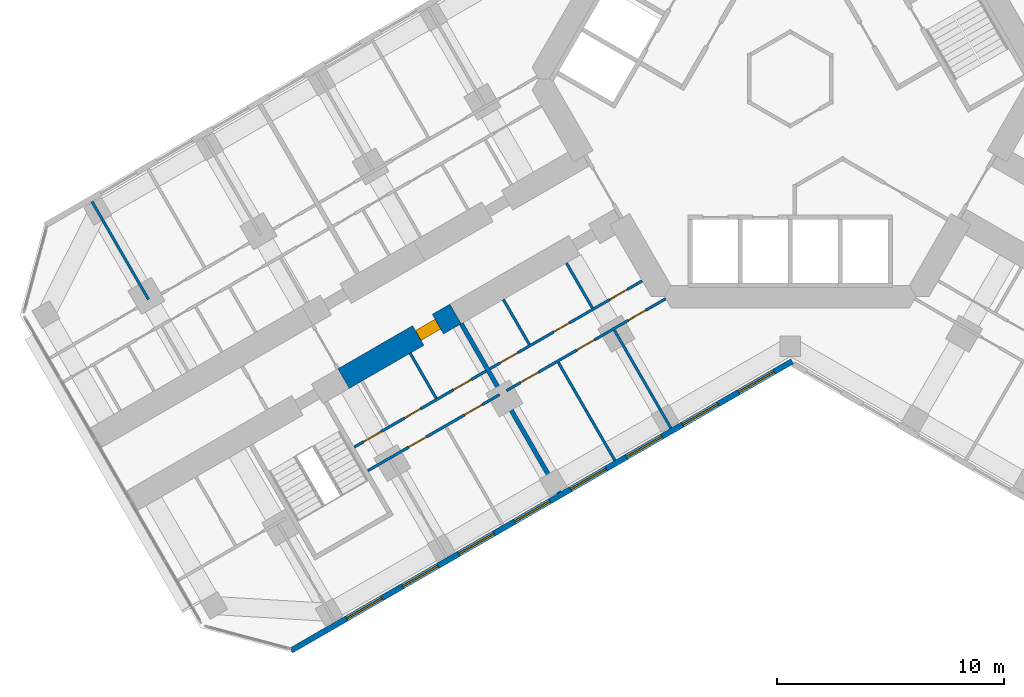
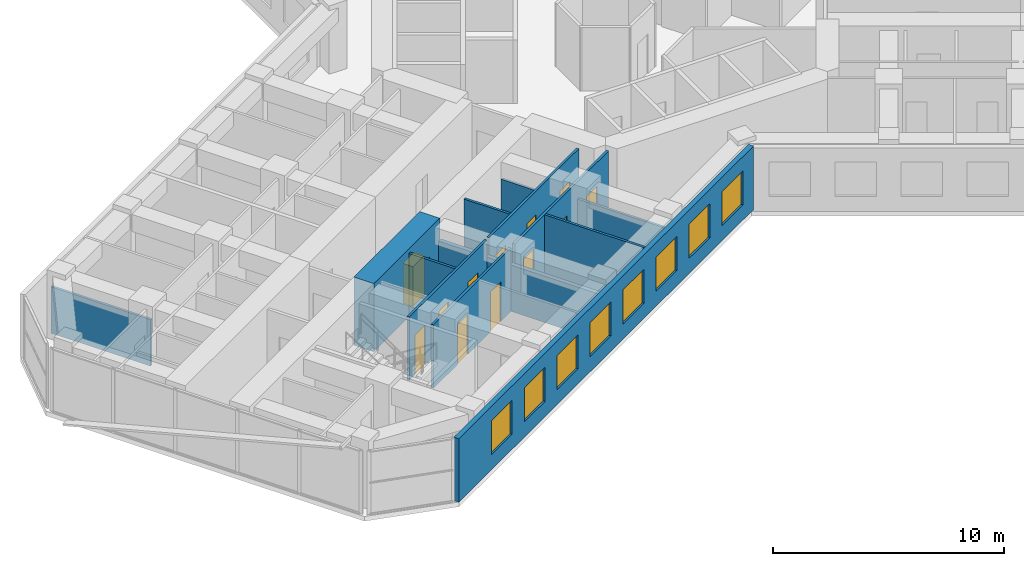
# One storey, part 11 of 22: 13 walls, 12 doors, 8 windows, 20 openings.
"""IFC4 building model written with IfcOpenShell, lengths in metres."""

from ifc_helpers import new_model, si_unit, direction, frame, frame_2d, origin, place, context, subcontext, project, spatial, rectangle, extrude, material, layer, layer_set, type_object, element, fill, save


model = new_model("IFC4")

# Units and contexts
model_context = context("Model", 3, precision=1e-05, world=origin(), true_north=direction((0.0, 1.0)))
body_context = subcontext(model_context, "Body", "Model", "MODEL_VIEW")
ifc_project = project(units=[si_unit("LENGTHUNIT", "METRE"), si_unit("AREAUNIT", "SQUARE_METRE"), si_unit("VOLUMEUNIT", "CUBIC_METRE"), si_unit("PLANEANGLEUNIT", "RADIAN"), si_unit("MASSUNIT", "GRAM", prefix="KILO")], contexts=[model_context])

# Site, building, storey
site_placement = place(None, origin())
site = spatial("IfcSite", under=ifc_project, at=site_placement, CompositionType="ELEMENT")
building_placement = place(site_placement, origin())
building = spatial("IfcBuilding", under=site, at=building_placement, Name="Kosmar Iwan School Tower", CompositionType="ELEMENT")
storey_placement = place(building_placement, frame((0.0, 0.0, 91.60009765625)))
storey = spatial("IfcBuildingStorey", under=building, at=storey_placement, Name="L22", CompositionType="ELEMENT", Elevation=91.60009765625)

# Wall, opening, door
ifc_material_1 = material(Name="Concrete C50/60", Category="concrete")
ifc_layer_1 = layer(ifc_material_1, 1.0)
ifc_layer_set_1 = layer_set([ifc_layer_1], Name="Corridor buttress wall 1000")
wall_type_1 = type_object("IfcWallType", Name="Corridor buttress wall 1000", PredefinedType="SHEAR", material=ifc_layer_set_1)
wall_1_placement = place(storey_placement, frame((-14.7451171875, -10.360595703125, 0.0), z_axis=(0.0, 0.0, 1.0), x_axis=(-0.866015111908, -0.50001782563, 0.0)))
wall_1 = element("IfcWall", 1, at=wall_1_placement, inside=storey, type_object=wall_type_1, Name="Corridor wall BL bay 2", PredefinedType="SHEAR", context=body_context, shape_type="SweptSolid", body=[
    extrude(rectangle(XDim=5.699951171875, YDim=1.0, at=frame_2d((2.85009765625, 0.0))), origin(), (0.0, 0.0, 1.0), 3.599853515625),
])
opening_1_placement = place(wall_1_placement, frame((0.89990234375, 0.0, 0.0)))
opening_1 = element("IfcOpeningElement", 2, at=opening_1_placement, cuts=wall_1, Name="Opening D1", PredefinedType="OPENING", context=body_context, shape_type="SweptSolid", body=[
    extrude(rectangle(XDim=1.0, YDim=2.10009765625, at=frame_2d((0.5, 1.050048828125))), frame((0.0, 0.511962890625, 0.0), z_axis=(0.0, -1.0, 0.0), x_axis=(1.0, 0.0, 0.0)), (0.0, 0.0, 1.0), 1.02392578125),
])
ifc_material_2 = material(Name="Timber fire door in steel frame", Category="steel")
door_type_1 = type_object("IfcDoorType", Name="Flat entrance door 1000x2100", OperationType="SINGLE_SWING_LEFT", PredefinedType="DOOR", material=ifc_material_2)
door_1_placement = place(opening_1_placement, origin())
door_1 = element("IfcDoor", 3, at=door_1_placement, inside=storey, type_object=door_type_1, Name="Flat L22-BL2 entrance door", OperationType="SINGLE_SWING_RIGHT", OverallHeight=2.10009765625, OverallWidth=1.0, PredefinedType="DOOR", context=body_context, shape_type="SweptSolid", body=[
    extrude(rectangle(XDim=1.0, YDim=2.10009765625, at=frame_2d((0.5, 1.050048828125))), frame((0.0, 0.25, 0.0), z_axis=(0.0, -1.0, 0.0), x_axis=(1.0, 0.0, 0.0)), (0.0, 0.0, 1.0), 0.5),
])
fill(opening_1, door_1)

# Wall, openings, doors
ifc_material_3 = material(Name="Gypsum board on steel studs", Category="steel")
ifc_layer_2 = layer(ifc_material_3, 0.1201171875)
ifc_layer_set_2 = layer_set([ifc_layer_2], Name="Dwelling partition 120")
wall_type_2 = type_object("IfcWallType", Name="Dwelling partition 120", PredefinedType="PARTITIONING", material=ifc_layer_set_2)
wall_2_placement = place(storey_placement, frame((-6.521728515625, -8.90380859375, 0.0), z_axis=(0.0, 0.0, 1.0), x_axis=(-0.866032409438, -0.499987865656, 0.0)))
wall_2 = element("IfcWall", 4, at=wall_2_placement, inside=storey, type_object=wall_type_2, Name="Partition L22-BL1-W1", PredefinedType="PARTITIONING", context=body_context, shape_type="SweptSolid", body=[
    extrude(rectangle(XDim=7.750244140625, YDim=0.1201171875, at=frame_2d((3.875, 0.0))), origin(), (0.0, 0.0, 1.0), 3.349853515625),
])
opening_2_placement = place(wall_2_placement, frame((0.75, 0.0, 0.0)))
opening_2 = element("IfcOpeningElement", 5, at=opening_2_placement, cuts=wall_2, Name="Opening D2", PredefinedType="OPENING", context=body_context, shape_type="SweptSolid", body=[
    extrude(rectangle(XDim=0.89990234375, YDim=2.10009765625, at=frame_2d((0.449951171875, 1.050048828125))), frame((0.0, 0.072021484375, 0.0), z_axis=(0.0, -1.0, 0.0), x_axis=(1.0, 0.0, 0.0)), (0.0, 0.0, 1.0), 0.14404296875),
])
opening_3_placement = place(wall_2_placement, frame((3.705078125, 0.0, 0.0)))
opening_3 = element("IfcOpeningElement", 6, at=opening_3_placement, cuts=wall_2, Name="Opening D3", PredefinedType="OPENING", context=body_context, shape_type="SweptSolid", body=[
    extrude(rectangle(XDim=0.800048828125, YDim=2.10009765625, at=frame_2d((0.39990234375, 1.050048828125))), frame((0.0, 0.072021484375, 0.0), z_axis=(0.0, -1.0, 0.0), x_axis=(1.0, 0.0, 0.0)), (0.0, 0.0, 1.0), 0.14404296875),
])
opening_4_placement = place(wall_2_placement, frame((6.330078125, 0.0, 0.0)))
opening_4 = element("IfcOpeningElement", 7, at=opening_4_placement, cuts=wall_2, Name="Opening D2", PredefinedType="OPENING", context=body_context, shape_type="SweptSolid", body=[
    extrude(rectangle(XDim=0.89990234375, YDim=2.10009765625, at=frame_2d((0.449951171875, 1.050048828125))), frame((0.0, 0.072021484375, 0.0), z_axis=(0.0, -1.0, 0.0), x_axis=(1.0, 0.0, 0.0)), (0.0, 0.0, 1.0), 0.14404296875),
])
ifc_material_4 = material(Name="Timber door in timber frame", Category="wood")
door_type_2 = type_object("IfcDoorType", Name="Internal door 900x2100", OperationType="SINGLE_SWING_LEFT", PredefinedType="DOOR", material=ifc_material_4)
door_2_placement = place(opening_2_placement, origin())
door_2 = element("IfcDoor", 8, at=door_2_placement, inside=storey, type_object=door_type_2, Name="Entrance hall door L22-BL1-S1", OperationType="SINGLE_SWING_LEFT", OverallHeight=2.10009765625, OverallWidth=0.89990234375, PredefinedType="DOOR", context=body_context, shape_type="SweptSolid", body=[
    extrude(rectangle(XDim=0.89990234375, YDim=2.10009765625, at=frame_2d((0.449951171875, 1.050048828125))), frame((0.0, 0.02490234375, 0.0), z_axis=(0.0, -1.0, 0.0), x_axis=(1.0, 0.0, 0.0)), (0.0, 0.0, 1.0), 0.050048828125),
])
fill(opening_2, door_2)
door_3_placement = place(opening_4_placement, origin())
door_3 = element("IfcDoor", 9, at=door_3_placement, inside=storey, type_object=door_type_2, Name="Pantry door L22-BL1-S3", OperationType="SINGLE_SWING_RIGHT", OverallHeight=2.10009765625, OverallWidth=0.89990234375, PredefinedType="DOOR", context=body_context, shape_type="SweptSolid", body=[
    extrude(rectangle(XDim=0.89990234375, YDim=2.10009765625, at=frame_2d((0.449951171875, 1.050048828125))), frame((0.0, 0.02490234375, 0.0), z_axis=(0.0, -1.0, 0.0), x_axis=(1.0, 0.0, 0.0)), (0.0, 0.0, 1.0), 0.050048828125),
])
fill(opening_4, door_3)
ifc_material_5 = material(Name="Timber door in timber frame", Category="wood")
door_type_3 = type_object("IfcDoorType", Name="Sanitary room door 800x2100", OperationType="SINGLE_SWING_LEFT", PredefinedType="DOOR", material=ifc_material_5)
door_4_placement = place(opening_3_placement, origin())
door_4 = element("IfcDoor", 10, at=door_4_placement, inside=storey, type_object=door_type_3, Name="Bathroom door L22-BL1-S2", OperationType="SINGLE_SWING_RIGHT", OverallHeight=2.10009765625, OverallWidth=0.800048828125, PredefinedType="DOOR", context=body_context, shape_type="SweptSolid", body=[
    extrude(rectangle(XDim=0.800048828125, YDim=2.10009765625, at=frame_2d((0.39990234375, 1.050048828125))), frame((0.0, 0.02490234375, 0.0), z_axis=(0.0, -1.0, 0.0), x_axis=(1.0, 0.0, 0.0)), (0.0, 0.0, 1.0), 0.050048828125),
])
fill(opening_3, door_4)

wall_3_placement = place(storey_placement, frame((-5.48876953125, -9.693115234375, 0.0), z_axis=(0.0, 0.0, 1.0), x_axis=(-0.866025472755, -0.499999880539, 0.0)))
wall_3 = element("IfcWall", 11, at=wall_3_placement, inside=storey, type_object=wall_type_2, Name="Partition L22-BL1-W2", PredefinedType="PARTITIONING", context=body_context, shape_type="SweptSolid", body=[
    extrude(rectangle(XDim=8.10009765625, YDim=0.1201171875, at=frame_2d((4.050048828125, 0.0))), origin(), (0.0, 0.0, 1.0), 3.349853515625),
])
opening_5_placement = place(wall_3_placement, frame((1.0, 0.0, 0.0)))
opening_5 = element("IfcOpeningElement", 12, at=opening_5_placement, cuts=wall_3, Name="Opening D2", PredefinedType="OPENING", context=body_context, shape_type="SweptSolid", body=[
    extrude(rectangle(XDim=0.89990234375, YDim=2.10009765625, at=frame_2d((0.449951171875, 1.050048828125))), frame((0.0, 0.072021484375, 0.0), z_axis=(0.0, -1.0, 0.0), x_axis=(1.0, 0.0, 0.0)), (0.0, 0.0, 1.0), 0.14404296875),
])
opening_6_placement = place(wall_3_placement, frame((3.625, 0.0, 0.0)))
opening_6 = element("IfcOpeningElement", 13, at=opening_6_placement, cuts=wall_3, Name="Opening D2", PredefinedType="OPENING", context=body_context, shape_type="SweptSolid", body=[
    extrude(rectangle(XDim=0.89990234375, YDim=2.10009765625, at=frame_2d((0.449951171875, 1.050048828125))), frame((0.0, 0.072021484375, 0.0), z_axis=(0.0, -1.0, 0.0), x_axis=(1.0, 0.0, 0.0)), (0.0, 0.0, 1.0), 0.14404296875),
])
opening_7_placement = place(wall_3_placement, frame((6.47509765625, 0.0, 0.0)))
opening_7 = element("IfcOpeningElement", 14, at=opening_7_placement, cuts=wall_3, Name="Opening D2", PredefinedType="OPENING", context=body_context, shape_type="SweptSolid", body=[
    extrude(rectangle(XDim=0.89990234375, YDim=2.10009765625, at=frame_2d((0.449951171875, 1.050048828125))), frame((0.0, 0.072021484375, 0.0), z_axis=(0.0, -1.0, 0.0), x_axis=(1.0, 0.0, 0.0)), (0.0, 0.0, 1.0), 0.14404296875),
])
door_5_placement = place(opening_5_placement, origin())
door_5 = element("IfcDoor", 15, at=door_5_placement, inside=storey, type_object=door_type_2, Name="Living room and kitchen door L22-BL1-F1", OperationType="SINGLE_SWING_LEFT", OverallHeight=2.10009765625, OverallWidth=0.89990234375, PredefinedType="DOOR", context=body_context, shape_type="SweptSolid", body=[
    extrude(rectangle(XDim=0.89990234375, YDim=2.10009765625, at=frame_2d((0.449951171875, 1.050048828125))), frame((0.0, 0.02490234375, 0.0), z_axis=(0.0, -1.0, 0.0), x_axis=(1.0, 0.0, 0.0)), (0.0, 0.0, 1.0), 0.050048828125),
])
fill(opening_5, door_5)
door_6_placement = place(opening_6_placement, origin())
door_6 = element("IfcDoor", 16, at=door_6_placement, inside=storey, type_object=door_type_2, Name="Study door L22-BL1-F2", OperationType="SINGLE_SWING_LEFT", OverallHeight=2.10009765625, OverallWidth=0.89990234375, PredefinedType="DOOR", context=body_context, shape_type="SweptSolid", body=[
    extrude(rectangle(XDim=0.89990234375, YDim=2.10009765625, at=frame_2d((0.449951171875, 1.050048828125))), frame((0.0, 0.02490234375, 0.0), z_axis=(0.0, -1.0, 0.0), x_axis=(1.0, 0.0, 0.0)), (0.0, 0.0, 1.0), 0.050048828125),
])
fill(opening_6, door_6)
door_7_placement = place(opening_7_placement, origin())
door_7 = element("IfcDoor", 17, at=door_7_placement, inside=storey, type_object=door_type_2, Name="Bedroom 1 door L22-BL1-F3", OperationType="SINGLE_SWING_RIGHT", OverallHeight=2.10009765625, OverallWidth=0.89990234375, PredefinedType="DOOR", context=body_context, shape_type="SweptSolid", body=[
    extrude(rectangle(XDim=0.89990234375, YDim=2.10009765625, at=frame_2d((0.449951171875, 1.050048828125))), frame((0.0, 0.02490234375, 0.0), z_axis=(0.0, -1.0, 0.0), x_axis=(1.0, 0.0, 0.0)), (0.0, 0.0, 1.0), 0.050048828125),
])
fill(opening_7, door_7)

# Walls
wall_4_placement = place(storey_placement, frame((-7.75390625, -11.070068359375, 0.0), z_axis=(0.0, 0.0, 1.0), x_axis=(0.500011847778, -0.866018563358, 0.0)))
element("IfcWall", 18, at=wall_4_placement, inside=storey, type_object=wall_type_2, Name="Partition L22-BL1-X1", PredefinedType="PARTITIONING", context=body_context, shape_type="SweptSolid", body=[
    extrude(rectangle(XDim=4.990234375, YDim=0.1201171875, at=frame_2d((2.4951171875, 0.0))), origin(), (0.0, 0.0, 1.0), 2.449951171875),
])
wall_5_placement = place(storey_placement, frame((-10.221923828125, -12.4951171875, 0.0), z_axis=(0.0, 0.0, 1.0), x_axis=(0.499996339024, -0.86602751744, 0.0)))
element("IfcWall", 19, at=wall_5_placement, inside=storey, type_object=wall_type_2, Name="Partition L22-BL1-X2", PredefinedType="PARTITIONING", context=body_context, shape_type="SweptSolid", body=[
    extrude(rectangle(XDim=4.98974609375, YDim=0.1201171875, at=frame_2d((2.494873046875, 0.0))), origin(), (0.0, 0.0, 1.0), 3.349853515625),
])
wall_6_placement = place(storey_placement, frame((-9.86181640625, -8.11865234375, 0.0), z_axis=(0.0, 0.0, 1.0), x_axis=(0.500014693593, -0.866016920268, 0.0)))
element("IfcWall", 20, at=wall_6_placement, inside=storey, type_object=wall_type_2, Name="Partition L22-BL1-Y1", PredefinedType="PARTITIONING", context=body_context, shape_type="SweptSolid", body=[
    extrude(rectangle(XDim=2.2900390625, YDim=0.1201171875, at=frame_2d((1.14501953125, 0.0))), origin(), (0.0, 0.0, 1.0), 2.449951171875),
])
wall_7_placement = place(storey_placement, frame((-12.641845703125, -9.7236328125, 0.0), z_axis=(0.0, 0.0, 1.0), x_axis=(0.500014693593, -0.866016920268, 0.0)))
element("IfcWall", 21, at=wall_7_placement, inside=storey, type_object=wall_type_2, Name="Partition L22-BL1-Y2", PredefinedType="PARTITIONING", context=body_context, shape_type="SweptSolid", body=[
    extrude(rectangle(XDim=2.2900390625, YDim=0.1201171875, at=frame_2d((1.14501953125, 0.0))), origin(), (0.0, 0.0, 1.0), 3.349853515625),
])

# Wall, openings, doors
wall_8_placement = place(storey_placement, frame((-13.40673828125, -12.87890625, 0.0), z_axis=(0.0, 0.0, 1.0), x_axis=(-0.866039349182, -0.499975845085, 0.0)))
wall_8 = element("IfcWall", 22, at=wall_8_placement, inside=storey, type_object=wall_type_2, Name="Partition L22-BL2-W1", PredefinedType="PARTITIONING", context=body_context, shape_type="SweptSolid", body=[
    extrude(rectangle(XDim=6.699951171875, YDim=0.1201171875, at=frame_2d((3.35009765625, 0.0))), origin(), (0.0, 0.0, 1.0), 3.349853515625),
])
opening_8_placement = place(wall_8_placement, frame((0.75, 0.0, 0.0)))
opening_8 = element("IfcOpeningElement", 23, at=opening_8_placement, cuts=wall_8, Name="Opening D2", PredefinedType="OPENING", context=body_context, shape_type="SweptSolid", body=[
    extrude(rectangle(XDim=0.89990234375, YDim=2.10009765625, at=frame_2d((0.449951171875, 1.050048828125))), frame((0.0, 0.072021484375, 0.0), z_axis=(0.0, -1.0, 0.0), x_axis=(1.0, 0.0, 0.0)), (0.0, 0.0, 1.0), 0.14404296875),
])
opening_9_placement = place(wall_8_placement, frame((3.330078125, 0.0, 0.0)))
opening_9 = element("IfcOpeningElement", 24, at=opening_9_placement, cuts=wall_8, Name="Opening D3", PredefinedType="OPENING", context=body_context, shape_type="SweptSolid", body=[
    extrude(rectangle(XDim=0.800048828125, YDim=2.10009765625, at=frame_2d((0.39990234375, 1.050048828125))), frame((0.0, 0.072021484375, 0.0), z_axis=(0.0, -1.0, 0.0), x_axis=(1.0, 0.0, 0.0)), (0.0, 0.0, 1.0), 0.14404296875),
])
opening_10_placement = place(wall_8_placement, frame((5.330078125, 0.0, 0.0)))
opening_10 = element("IfcOpeningElement", 25, at=opening_10_placement, cuts=wall_8, Name="Opening D2", PredefinedType="OPENING", context=body_context, shape_type="SweptSolid", body=[
    extrude(rectangle(XDim=0.89990234375, YDim=2.10009765625, at=frame_2d((0.449951171875, 1.050048828125))), frame((0.0, 0.072021484375, 0.0), z_axis=(0.0, -1.0, 0.0), x_axis=(1.0, 0.0, 0.0)), (0.0, 0.0, 1.0), 0.14404296875),
])
door_8_placement = place(opening_8_placement, origin())
door_8 = element("IfcDoor", 26, at=door_8_placement, inside=storey, type_object=door_type_2, Name="Entrance hall door L22-BL2-S1", OperationType="SINGLE_SWING_LEFT", OverallHeight=2.10009765625, OverallWidth=0.89990234375, PredefinedType="DOOR", context=body_context, shape_type="SweptSolid", body=[
    extrude(rectangle(XDim=0.89990234375, YDim=2.10009765625, at=frame_2d((0.449951171875, 1.050048828125))), frame((0.0, 0.02490234375, 0.0), z_axis=(0.0, -1.0, 0.0), x_axis=(1.0, 0.0, 0.0)), (0.0, 0.0, 1.0), 0.050048828125),
])
fill(opening_8, door_8)
door_9_placement = place(opening_10_placement, frame((0.89990234375, 0.0, 0.0), z_axis=(0.0, 0.0, 1.0), x_axis=(-1.0, 0.0, 0.0)))
door_9 = element("IfcDoor", 27, at=door_9_placement, inside=storey, type_object=door_type_2, Name="Pantry door L22-BL2-S3", OperationType="SINGLE_SWING_LEFT", OverallHeight=2.10009765625, OverallWidth=0.89990234375, PredefinedType="DOOR", context=body_context, shape_type="SweptSolid", body=[
    extrude(rectangle(XDim=0.89990234375, YDim=2.10009765625, at=frame_2d((0.449951171875, 1.050048828125))), frame((0.0, 0.02490234375, 0.0), z_axis=(0.0, -1.0, 0.0), x_axis=(1.0, 0.0, 0.0)), (0.0, 0.0, 1.0), 0.050048828125),
])
fill(opening_10, door_9)
door_10_placement = place(opening_9_placement, origin())
door_10 = element("IfcDoor", 28, at=door_10_placement, inside=storey, type_object=door_type_3, Name="Bathroom door L22-BL2-S2", OperationType="SINGLE_SWING_RIGHT", OverallHeight=2.10009765625, OverallWidth=0.800048828125, PredefinedType="DOOR", context=body_context, shape_type="SweptSolid", body=[
    extrude(rectangle(XDim=0.800048828125, YDim=2.10009765625, at=frame_2d((0.39990234375, 1.050048828125))), frame((0.0, 0.02490234375, 0.0), z_axis=(0.0, -1.0, 0.0), x_axis=(1.0, 0.0, 0.0)), (0.0, 0.0, 1.0), 0.050048828125),
])
fill(opening_9, door_10)

wall_9_placement = place(storey_placement, frame((-12.806640625, -13.91796875, 0.0), z_axis=(0.0, 0.0, 1.0), x_axis=(-0.866023571113, -0.500003174267, 0.0)))
wall_9 = element("IfcWall", 29, at=wall_9_placement, inside=storey, type_object=wall_type_2, Name="Partition L22-BL2-W2", PredefinedType="PARTITIONING", context=body_context, shape_type="SweptSolid", body=[
    extrude(rectangle(XDim=6.7001953125, YDim=0.1201171875, at=frame_2d((3.35009765625, 0.0))), origin(), (0.0, 0.0, 1.0), 3.349853515625),
])
opening_11_placement = place(wall_9_placement, frame((0.875, 0.0, 0.0)))
opening_11 = element("IfcOpeningElement", 30, at=opening_11_placement, cuts=wall_9, Name="Opening D2", PredefinedType="OPENING", context=body_context, shape_type="SweptSolid", body=[
    extrude(rectangle(XDim=0.89990234375, YDim=2.10009765625, at=frame_2d((0.449951171875, 1.050048828125))), frame((0.0, 0.072021484375, 0.0), z_axis=(0.0, -1.0, 0.0), x_axis=(1.0, 0.0, 0.0)), (0.0, 0.0, 1.0), 0.14404296875),
])
opening_12_placement = place(wall_9_placement, frame((3.72509765625, 0.0, 0.0)))
opening_12 = element("IfcOpeningElement", 31, at=opening_12_placement, cuts=wall_9, Name="Opening D2", PredefinedType="OPENING", context=body_context, shape_type="SweptSolid", body=[
    extrude(rectangle(XDim=0.89990234375, YDim=2.10009765625, at=frame_2d((0.449951171875, 1.050048828125))), frame((0.0, 0.072021484375, 0.0), z_axis=(0.0, -1.0, 0.0), x_axis=(1.0, 0.0, 0.0)), (0.0, 0.0, 1.0), 0.14404296875),
])
door_11_placement = place(opening_11_placement, origin())
door_11 = element("IfcDoor", 32, at=door_11_placement, inside=storey, type_object=door_type_2, Name="Living room and kitchen door L22-BL2-F1", OperationType="SINGLE_SWING_RIGHT", OverallHeight=2.10009765625, OverallWidth=0.89990234375, PredefinedType="DOOR", context=body_context, shape_type="SweptSolid", body=[
    extrude(rectangle(XDim=0.89990234375, YDim=2.10009765625, at=frame_2d((0.449951171875, 1.050048828125))), frame((0.0, 0.02490234375, 0.0), z_axis=(0.0, -1.0, 0.0), x_axis=(1.0, 0.0, 0.0)), (0.0, 0.0, 1.0), 0.050048828125),
])
fill(opening_11, door_11)
door_12_placement = place(opening_12_placement, origin())
door_12 = element("IfcDoor", 33, at=door_12_placement, inside=storey, type_object=door_type_2, Name="Bedroom 1 door L22-BL2-F2", OperationType="SINGLE_SWING_LEFT", OverallHeight=2.10009765625, OverallWidth=0.89990234375, PredefinedType="DOOR", context=body_context, shape_type="SweptSolid", body=[
    extrude(rectangle(XDim=0.89990234375, YDim=2.10009765625, at=frame_2d((0.449951171875, 1.050048828125))), frame((0.0, 0.02490234375, 0.0), z_axis=(0.0, -1.0, 0.0), x_axis=(1.0, 0.0, 0.0)), (0.0, 0.0, 1.0), 0.050048828125),
])
fill(opening_12, door_12)

# Walls
wall_10_placement = place(storey_placement, frame((-16.746826171875, -12.09375, 0.0), z_axis=(0.0, 0.0, 1.0), x_axis=(0.500014693593, -0.866016920268, 0.0)))
element("IfcWall", 34, at=wall_10_placement, inside=storey, type_object=wall_type_2, Name="Partition L22-BL2-Y1", PredefinedType="PARTITIONING", context=body_context, shape_type="SweptSolid", body=[
    extrude(rectangle(XDim=2.2900390625, YDim=0.1201171875, at=frame_2d((1.14501953125, 0.0))), origin(), (0.0, 0.0, 1.0), 3.349853515625),
])
wall_11_placement = place(storey_placement, frame((-28.27294921875, -9.72998046875, 0.0), z_axis=(0.0, 0.0, 1.0), x_axis=(-0.499975153383, 0.86603974851, 0.0)))
element("IfcWall", 35, at=wall_11_placement, inside=storey, type_object=wall_type_2, Name="Partition L22-BR2-X3", PredefinedType="PARTITIONING", context=body_context, shape_type="SweptSolid", body=[
    extrude(rectangle(XDim=4.989990234375, YDim=0.1201171875, at=frame_2d((2.4951171875, 0.0))), origin(), (0.0, 0.0, 1.0), 2.449951171875),
])

# Wall, openings, windows
ifc_material_6 = material(Name="Black aluminium rainscreen on insulated framing", Category="aluminium")
ifc_layer_3 = layer(ifc_material_6, 0.25)
ifc_layer_set_3 = layer_set([ifc_layer_3], Name="External wall rainscreen 250")
wall_type_3 = type_object("IfcWallType", Name="External wall rainscreen 250", PredefinedType="SOLIDWALL", material=ifc_layer_set_3)
wall_12_placement = place(storey_placement, frame((0.088134765625, -12.44873046875, 0.0), z_axis=(0.0, 0.0, 1.0), x_axis=(-0.866026390279, -0.499998291337, 0.0)))
wall_12 = element("IfcWall", 36, at=wall_12_placement, inside=storey, type_object=wall_type_3, Name="External wall BL L22", PredefinedType="SOLIDWALL", context=body_context, shape_type="SweptSolid", body=[
    extrude(rectangle(XDim=25.4873046875, YDim=0.25, at=frame_2d((12.74365234375, 0.0))), origin(), (0.0, 0.0, 1.0), 3.349853515625),
])
opening_13_placement = place(wall_12_placement, frame((0.927001953125, 0.0, 0.800048828125)))
opening_13 = element("IfcOpeningElement", 37, at=opening_13_placement, cuts=wall_12, Name="Opening W1", PredefinedType="OPENING", context=body_context, shape_type="SweptSolid", body=[
    extrude(rectangle(XDim=1.800048828125, YDim=1.800048828125, at=frame_2d((0.89990234375, 0.89990234375))), frame((0.0, 0.136962890625, 0.0), z_axis=(0.0, -1.0, 0.0), x_axis=(1.0, 0.0, 0.0)), (0.0, 0.0, 1.0), 0.27392578125),
])
opening_14_placement = place(wall_12_placement, frame((3.777099609375, 0.0, 0.800048828125)))
opening_14 = element("IfcOpeningElement", 38, at=opening_14_placement, cuts=wall_12, Name="Opening W1", PredefinedType="OPENING", context=body_context, shape_type="SweptSolid", body=[
    extrude(rectangle(XDim=1.800048828125, YDim=1.800048828125, at=frame_2d((0.89990234375, 0.89990234375))), frame((0.0, 0.136962890625, 0.0), z_axis=(0.0, -1.0, 0.0), x_axis=(1.0, 0.0, 0.0)), (0.0, 0.0, 1.0), 0.27392578125),
])
opening_15_placement = place(wall_12_placement, frame((6.626953125, 0.0, 0.800048828125)))
opening_15 = element("IfcOpeningElement", 39, at=opening_15_placement, cuts=wall_12, Name="Opening W1", PredefinedType="OPENING", context=body_context, shape_type="SweptSolid", body=[
    extrude(rectangle(XDim=1.800048828125, YDim=1.800048828125, at=frame_2d((0.89990234375, 0.89990234375))), frame((0.0, 0.136962890625, 0.0), z_axis=(0.0, -1.0, 0.0), x_axis=(1.0, 0.0, 0.0)), (0.0, 0.0, 1.0), 0.27392578125),
])
opening_16_placement = place(wall_12_placement, frame((9.47705078125, 0.0, 0.800048828125)))
opening_16 = element("IfcOpeningElement", 40, at=opening_16_placement, cuts=wall_12, Name="Opening W1", PredefinedType="OPENING", context=body_context, shape_type="SweptSolid", body=[
    extrude(rectangle(XDim=1.800048828125, YDim=1.800048828125, at=frame_2d((0.89990234375, 0.89990234375))), frame((0.0, 0.136962890625, 0.0), z_axis=(0.0, -1.0, 0.0), x_axis=(1.0, 0.0, 0.0)), (0.0, 0.0, 1.0), 0.27392578125),
])
opening_17_placement = place(wall_12_placement, frame((12.326904296875, 0.0, 0.800048828125)))
opening_17 = element("IfcOpeningElement", 41, at=opening_17_placement, cuts=wall_12, Name="Opening W1", PredefinedType="OPENING", context=body_context, shape_type="SweptSolid", body=[
    extrude(rectangle(XDim=1.800048828125, YDim=1.800048828125, at=frame_2d((0.89990234375, 0.89990234375))), frame((0.0, 0.136962890625, 0.0), z_axis=(0.0, -1.0, 0.0), x_axis=(1.0, 0.0, 0.0)), (0.0, 0.0, 1.0), 0.27392578125),
])
opening_18_placement = place(wall_12_placement, frame((15.177001953125, 0.0, 0.800048828125)))
opening_18 = element("IfcOpeningElement", 42, at=opening_18_placement, cuts=wall_12, Name="Opening W1", PredefinedType="OPENING", context=body_context, shape_type="SweptSolid", body=[
    extrude(rectangle(XDim=1.800048828125, YDim=1.800048828125, at=frame_2d((0.89990234375, 0.89990234375))), frame((0.0, 0.136962890625, 0.0), z_axis=(0.0, -1.0, 0.0), x_axis=(1.0, 0.0, 0.0)), (0.0, 0.0, 1.0), 0.27392578125),
])
opening_19_placement = place(wall_12_placement, frame((18.027099609375, 0.0, 0.800048828125)))
opening_19 = element("IfcOpeningElement", 43, at=opening_19_placement, cuts=wall_12, Name="Opening W1", PredefinedType="OPENING", context=body_context, shape_type="SweptSolid", body=[
    extrude(rectangle(XDim=1.800048828125, YDim=1.800048828125, at=frame_2d((0.89990234375, 0.89990234375))), frame((0.0, 0.136962890625, 0.0), z_axis=(0.0, -1.0, 0.0), x_axis=(1.0, 0.0, 0.0)), (0.0, 0.0, 1.0), 0.27392578125),
])
opening_20_placement = place(wall_12_placement, frame((20.876953125, 0.0, 0.800048828125)))
opening_20 = element("IfcOpeningElement", 44, at=opening_20_placement, cuts=wall_12, Name="Opening W1", PredefinedType="OPENING", context=body_context, shape_type="SweptSolid", body=[
    extrude(rectangle(XDim=1.800048828125, YDim=1.800048828125, at=frame_2d((0.89990234375, 0.89990234375))), frame((0.0, 0.136962890625, 0.0), z_axis=(0.0, -1.0, 0.0), x_axis=(1.0, 0.0, 0.0)), (0.0, 0.0, 1.0), 0.27392578125),
])
ifc_material_7 = material(Name="Black aluminium frame with dark triple glazing", Category="aluminium")
window_type = type_object("IfcWindowType", Name="Window 1800x1800", PartitioningType="SINGLE_PANEL", PredefinedType="WINDOW", material=ifc_material_7)
window_1_placement = place(opening_13_placement, origin())
window_1 = element("IfcWindow", 45, at=window_1_placement, inside=storey, type_object=window_type, Name="Window BL L22 -1", OverallHeight=1.800048828125, OverallWidth=1.800048828125, PartitioningType="SINGLE_PANEL", PredefinedType="WINDOW", context=body_context, shape_type="SweptSolid", body=[
    extrude(rectangle(XDim=1.800048828125, YDim=1.800048828125, at=frame_2d((0.89990234375, 0.89990234375))), frame((0.0, 0.030029296875, 0.0), z_axis=(0.0, -1.0, 0.0), x_axis=(1.0, 0.0, 0.0)), (0.0, 0.0, 1.0), 0.06005859375),
])
fill(opening_13, window_1)
window_2_placement = place(opening_14_placement, origin())
window_2 = element("IfcWindow", 46, at=window_2_placement, inside=storey, type_object=window_type, Name="Window BL L22 0", OverallHeight=1.800048828125, OverallWidth=1.800048828125, PartitioningType="SINGLE_PANEL", PredefinedType="WINDOW", context=body_context, shape_type="SweptSolid", body=[
    extrude(rectangle(XDim=1.800048828125, YDim=1.800048828125, at=frame_2d((0.89990234375, 0.89990234375))), frame((0.0, 0.030029296875, 0.0), z_axis=(0.0, -1.0, 0.0), x_axis=(1.0, 0.0, 0.0)), (0.0, 0.0, 1.0), 0.06005859375),
])
fill(opening_14, window_2)
window_3_placement = place(opening_15_placement, origin())
window_3 = element("IfcWindow", 47, at=window_3_placement, inside=storey, type_object=window_type, Name="Window BL L22 1", OverallHeight=1.800048828125, OverallWidth=1.800048828125, PartitioningType="SINGLE_PANEL", PredefinedType="WINDOW", context=body_context, shape_type="SweptSolid", body=[
    extrude(rectangle(XDim=1.800048828125, YDim=1.800048828125, at=frame_2d((0.89990234375, 0.89990234375))), frame((0.0, 0.030029296875, 0.0), z_axis=(0.0, -1.0, 0.0), x_axis=(1.0, 0.0, 0.0)), (0.0, 0.0, 1.0), 0.06005859375),
])
fill(opening_15, window_3)
window_4_placement = place(opening_16_placement, origin())
window_4 = element("IfcWindow", 48, at=window_4_placement, inside=storey, type_object=window_type, Name="Window BL L22 2", OverallHeight=1.800048828125, OverallWidth=1.800048828125, PartitioningType="SINGLE_PANEL", PredefinedType="WINDOW", context=body_context, shape_type="SweptSolid", body=[
    extrude(rectangle(XDim=1.800048828125, YDim=1.800048828125, at=frame_2d((0.89990234375, 0.89990234375))), frame((0.0, 0.030029296875, 0.0), z_axis=(0.0, -1.0, 0.0), x_axis=(1.0, 0.0, 0.0)), (0.0, 0.0, 1.0), 0.06005859375),
])
fill(opening_16, window_4)
window_5_placement = place(opening_17_placement, origin())
window_5 = element("IfcWindow", 49, at=window_5_placement, inside=storey, type_object=window_type, Name="Window BL L22 3", OverallHeight=1.800048828125, OverallWidth=1.800048828125, PartitioningType="SINGLE_PANEL", PredefinedType="WINDOW", context=body_context, shape_type="SweptSolid", body=[
    extrude(rectangle(XDim=1.800048828125, YDim=1.800048828125, at=frame_2d((0.89990234375, 0.89990234375))), frame((0.0, 0.030029296875, 0.0), z_axis=(0.0, -1.0, 0.0), x_axis=(1.0, 0.0, 0.0)), (0.0, 0.0, 1.0), 0.06005859375),
])
fill(opening_17, window_5)
window_6_placement = place(opening_18_placement, origin())
window_6 = element("IfcWindow", 50, at=window_6_placement, inside=storey, type_object=window_type, Name="Window BL L22 4", OverallHeight=1.800048828125, OverallWidth=1.800048828125, PartitioningType="SINGLE_PANEL", PredefinedType="WINDOW", context=body_context, shape_type="SweptSolid", body=[
    extrude(rectangle(XDim=1.800048828125, YDim=1.800048828125, at=frame_2d((0.89990234375, 0.89990234375))), frame((0.0, 0.030029296875, 0.0), z_axis=(0.0, -1.0, 0.0), x_axis=(1.0, 0.0, 0.0)), (0.0, 0.0, 1.0), 0.06005859375),
])
fill(opening_18, window_6)
window_7_placement = place(opening_19_placement, origin())
window_7 = element("IfcWindow", 51, at=window_7_placement, inside=storey, type_object=window_type, Name="Window BL L22 5", OverallHeight=1.800048828125, OverallWidth=1.800048828125, PartitioningType="SINGLE_PANEL", PredefinedType="WINDOW", context=body_context, shape_type="SweptSolid", body=[
    extrude(rectangle(XDim=1.800048828125, YDim=1.800048828125, at=frame_2d((0.89990234375, 0.89990234375))), frame((0.0, 0.030029296875, 0.0), z_axis=(0.0, -1.0, 0.0), x_axis=(1.0, 0.0, 0.0)), (0.0, 0.0, 1.0), 0.06005859375),
])
fill(opening_19, window_7)
window_8_placement = place(opening_20_placement, origin())
window_8 = element("IfcWindow", 52, at=window_8_placement, inside=storey, type_object=window_type, Name="Window BL L22 6", OverallHeight=1.800048828125, OverallWidth=1.800048828125, PartitioningType="SINGLE_PANEL", PredefinedType="WINDOW", context=body_context, shape_type="SweptSolid", body=[
    extrude(rectangle(XDim=1.800048828125, YDim=1.800048828125, at=frame_2d((0.89990234375, 0.89990234375))), frame((0.0, 0.030029296875, 0.0), z_axis=(0.0, -1.0, 0.0), x_axis=(1.0, 0.0, 0.0)), (0.0, 0.0, 1.0), 0.06005859375),
])
fill(opening_20, window_8)

# Wall
ifc_material_8 = material(Name="Concrete block masonry", Category="masonry")
ifc_layer_4 = layer(ifc_material_8, 0.199951171875)
ifc_layer_set_4 = layer_set([ifc_layer_4], Name="Party wall 200")
wall_type_4 = type_object("IfcWallType", Name="Party wall 200", PredefinedType="PARTITIONING", material=ifc_layer_set_4)
wall_13_placement = place(storey_placement, frame((-14.4951171875, -10.793701171875, 0.0), z_axis=(0.0, 0.0, 1.0), x_axis=(0.500007509209, -0.866021068297, 0.0)))
element("IfcWall", 53, at=wall_13_placement, inside=storey, type_object=wall_type_4, Name="Partition L22-BL2-PW", PredefinedType="PARTITIONING", context=body_context, shape_type="SweptSolid", body=[
    extrude(rectangle(XDim=8.599853515625, YDim=0.199951171875, at=frame_2d((4.2998046875, 0.0))), origin(), (0.0, 0.0, 1.0), 2.449951171875),
])

save(model, "model.ifc")
